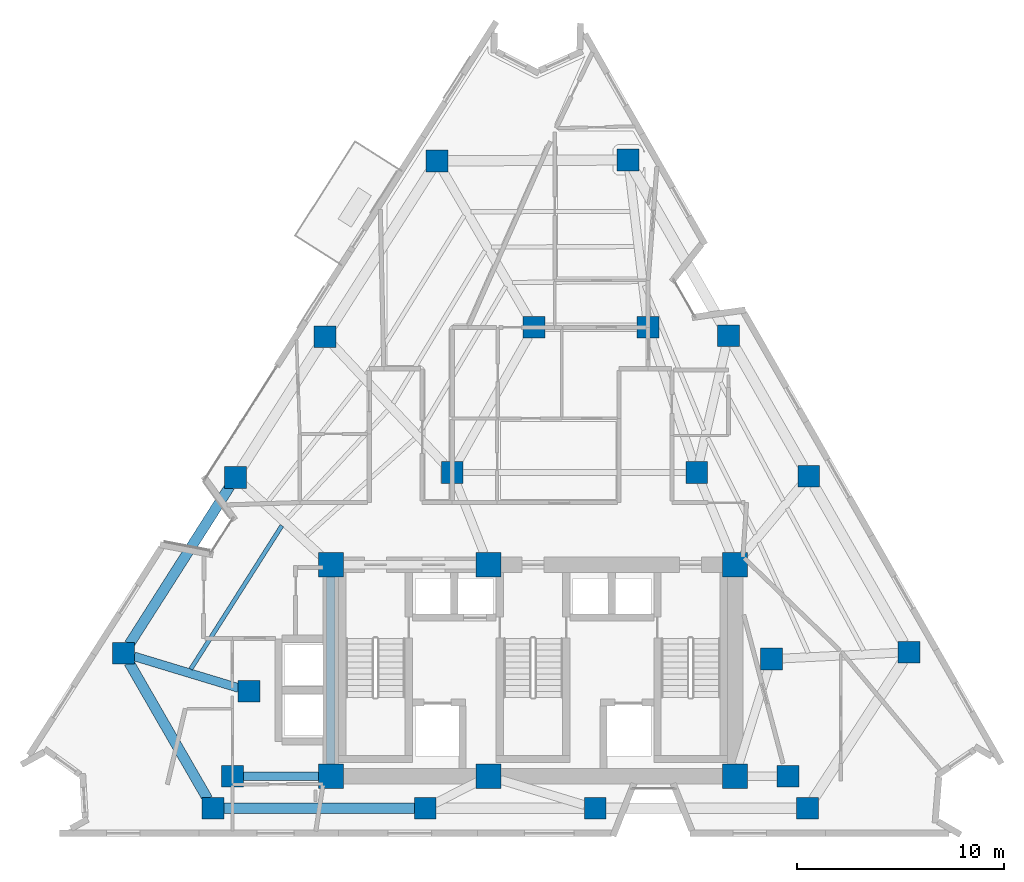
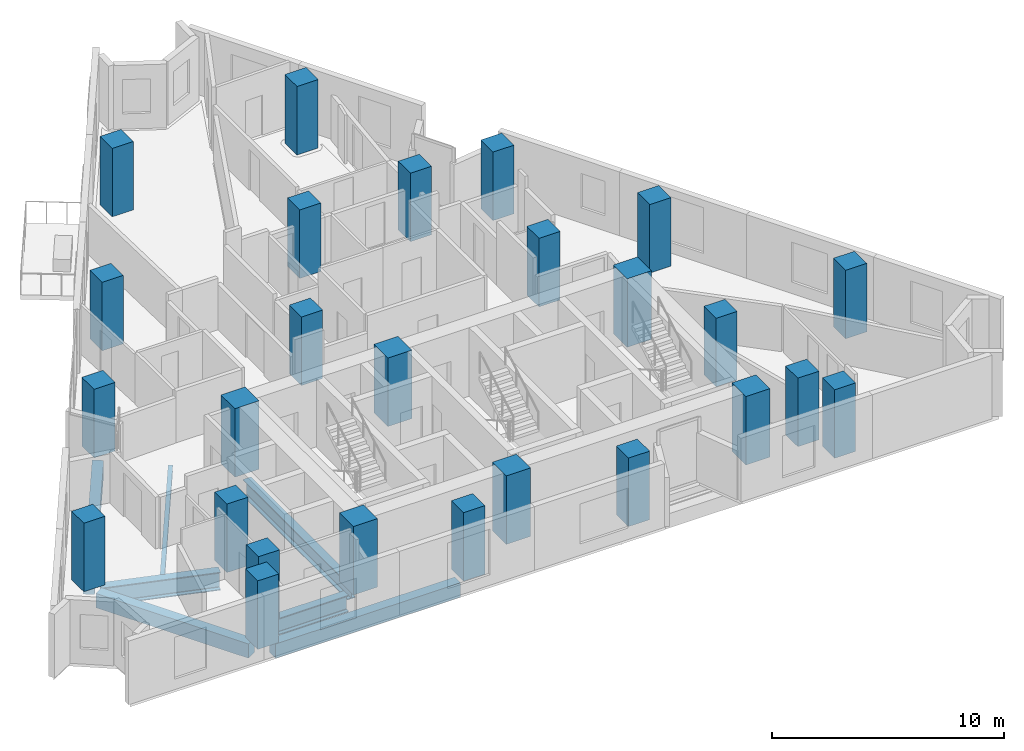
# One storey, part 1 of 11: 26 columns, 7 beams.
"""IFC4 building model written with IfcOpenShell, lengths in metres."""

from ifc_helpers import new_model, si_unit, direction, frame, origin, origin_2d, place, context, subcontext, project, spatial, rectangle, i_section, extrude, material, material_profile, profile_set, type_object, element, save


model = new_model("IFC4")

# Units and contexts
model_context = context("Model", 3, precision=1e-05, world=origin(), true_north=direction((0.0, 1.0)))
body_context = subcontext(model_context, "Body", "Model", "MODEL_VIEW")
ifc_project = project(units=[si_unit("LENGTHUNIT", "METRE"), si_unit("AREAUNIT", "SQUARE_METRE"), si_unit("VOLUMEUNIT", "CUBIC_METRE"), si_unit("PLANEANGLEUNIT", "RADIAN"), si_unit("MASSUNIT", "GRAM", prefix="KILO")], contexts=[model_context])

# Site, building, storey
site_placement = place(None, origin())
site = spatial("IfcSite", under=ifc_project, at=site_placement, CompositionType="ELEMENT")
building_placement = place(site_placement, origin())
building = spatial("IfcBuilding", under=site, at=building_placement, Name="Almagre Mirador Tower", CompositionType="ELEMENT")
storey_placement = place(building_placement, frame((0.0, 0.0, 135.60009765625)))
storey = spatial("IfcBuildingStorey", under=building, at=storey_placement, Name="L34", CompositionType="ELEMENT", Elevation=135.60009765625)

# Columns
ifc_material_1 = material(Name="Concrete C60/75", Category="concrete")
ifc_material_profile_1 = material_profile(ifc_material_1, rectangle(XDim=1.050048828125, YDim=1.050048828125, at=origin_2d()), Name="RC1050X1050")
ifc_profile_set_1 = profile_set([ifc_material_profile_1], Name="Concrete C60/75")
column_type_1 = type_object("IfcColumnType", Name="COL-RC1050", PredefinedType="COLUMN", material=ifc_profile_set_1)
for number, where, z_axis, x_axis, name in (
    (1, (22.800048828125, 4.550048828125, 0.0), (0.0, 0.0, 1.0), (1.0, 0.0, 0.0), "L34 interior transfer column MC1"),
    (2, (49.60009765625, 4.550048828125, 0.0), (0.0, 0.0, 1.0), (1.0, 0.0, 0.0), "L34 interior transfer column MC2"),
    (3, (48.800048828125, 10.199951171875, 0.0), (0.0, 0.0, 1.0), (1.0, 0.0, 0.0), "L34 interior transfer column MC3"),
    (4, (45.199951171875, 19.199951171875, 0.0), (0.0, 0.0, 1.0), (1.0, 0.0, 0.0), "L34 interior transfer column MC5"),
    (5, (42.85009765625, 26.199951171875, 0.0), (0.0, 0.0, 1.0), (1.0, 0.0, 0.0), "L34 interior transfer column MC6"),
    (6, (37.35009765625, 26.199951171875, 0.0), (0.0, 0.0, 1.0), (1.0, 0.0, 0.0), "L34 interior transfer column MC7"),
    (7, (33.39990234375, 19.199951171875, 0.0), (0.0, 0.0, 1.0), (1.0, 0.0, 0.0), "L34 interior transfer column MC8"),
    (8, (23.60009765625, 8.64990234375, 0.0), (0.0, 0.0, 1.0), (1.0, 0.0, 0.0), "L34 interior transfer column MC10"),
    (9, (21.864013671875, 3.0, 0.0), (0.0, 0.0, 1.0), (1.0, 0.0, 0.0), "L34 perimeter column PC01"),
    (10, (32.10400390625, 3.0, 0.0), (0.0, 0.0, 1.0), (1.0, 0.0, 0.0), "L34 perimeter column PC02"),
    (11, (40.2958984375, 3.0, 0.0), (0.0, 0.0, 1.0), (1.0, 0.0, 0.0), "L34 perimeter column PC03"),
    (12, (50.535888671875, 3.0, 0.0), (0.0, 0.0, 1.0), (1.0, 0.0, 0.0), "L34 perimeter column PC04"),
    (13, (55.43408203125, 10.532958984375, 0.0), (0.0, 0.0, 1.0), (1.0, 0.0, 0.0), "L34 perimeter column PC05"),
    (14, (50.593994140625, 19.012939453125, 0.0), (0.0, 0.0, 1.0), (1.0, 0.0, 0.0), "L34 perimeter column PC06"),
    (15, (46.721923828125, 25.797119140625, 0.0), (0.0, 0.0, 1.0), (1.0, 0.0, 0.0), "L34 perimeter column PC07"),
    (16, (41.882080078125, 34.277099609375, 0.0), (0.0, 0.0, 1.0), (1.0, 0.0, 0.0), "L34 perimeter column PC08"),
    (17, (32.672119140625, 34.22705078125, 0.0), (0.0, 0.0, 1.0), (1.0, 0.0, 0.0), "L34 perimeter column PC09"),
    (18, (27.27197265625, 25.7470703125, 0.0), (0.0, 0.0, 1.0), (1.0, 0.0, 0.0), "L34 perimeter column PC10"),
    (19, (22.951904296875, 18.962890625, 0.0), (0.0, 0.0, 1.0), (1.0, 0.0, 0.0), "L34 perimeter column PC11"),
    (20, (17.552001953125, 10.48291015625, 0.0), (0.0, 0.0, 1.0), (1.0, 0.0, 0.0), "L34 perimeter column PC12"),
):
    element("IfcColumn", number, at=place(storey_placement, frame(where, z_axis=z_axis, x_axis=x_axis)), inside=storey, type_object=column_type_1, Name=name, PredefinedType="COLUMN", context=body_context, shape_type="SweptSolid", body=[
        extrude(rectangle(XDim=1.050048828125, YDim=1.050048828125, at=origin_2d()), origin(), (0.0, 0.0, 1.0), 3.599853515625),
    ])
ifc_material_2 = material(Name="Concrete C60/75", Category="concrete")
ifc_material_profile_2 = material_profile(ifc_material_2, rectangle(XDim=1.199951171875, YDim=1.199951171875, at=origin_2d()), Name="RC1200X1200")
ifc_profile_set_2 = profile_set([ifc_material_profile_2], Name="Concrete C60/75")
column_type_2 = type_object("IfcColumnType", Name="COL-RC1200", PredefinedType="COLUMN", material=ifc_profile_set_2)
for number, where, z_axis, x_axis, name in (
    (21, (27.550048828125, 4.550048828125, 0.0), (0.0, 0.0, 1.0), (1.0, 0.0, 0.0), "L34 core spine column CC1"),
    (22, (35.14990234375, 4.550048828125, 0.0), (0.0, 0.0, 1.0), (1.0, 0.0, 0.0), "L34 core spine column CC2"),
    (23, (47.050048828125, 4.550048828125, 0.0), (0.0, 0.0, 1.0), (1.0, 0.0, 0.0), "L34 core spine column CC3"),
    (24, (27.550048828125, 14.75, 0.0), (0.0, 0.0, 1.0), (1.0, 0.0, 0.0), "L34 core spine column CC4"),
    (25, (35.14990234375, 14.75, 0.0), (0.0, 0.0, 1.0), (1.0, 0.0, 0.0), "L34 core spine column CC5"),
    (26, (47.050048828125, 14.75, 0.0), (0.0, 0.0, 1.0), (1.0, 0.0, 0.0), "L34 core spine column CC6"),
):
    element("IfcColumn", number, at=place(storey_placement, frame(where, z_axis=z_axis, x_axis=x_axis)), inside=storey, type_object=column_type_2, Name=name, PredefinedType="COLUMN", context=body_context, shape_type="SweptSolid", body=[
        extrude(rectangle(XDim=1.199951171875, YDim=1.199951171875, at=origin_2d()), origin(), (0.0, 0.0, 1.0), 3.599853515625),
    ])

# Beams
ifc_material_3 = material(Name="Steel ASTM A992 Grade 50", Category="steel")
ifc_material_profile_3 = material_profile(ifc_material_3, i_section(OverallWidth=0.205078125, OverallDepth=0.31005859375, WebThickness=0.009521484375, FlangeThickness=0.016357421875, FilletRadius=0.013916015625, at=origin_2d()), Name="W12X50")
ifc_profile_set_3 = profile_set([ifc_material_profile_3], Name="Steel ASTM A992 Grade 50")
beam_type_1 = type_object("IfcBeamType", Name="BM-JST-W12X50", PredefinedType="JOIST", material=ifc_profile_set_3)
beam_1_placement = place(storey_placement, frame((25.185302734375, 16.63427734375, -0.405029296875), z_axis=(-0.536144918512, -0.844125954082, 0.0), x_axis=(0.844125954082, -0.536144918512, 0.0)))
element("IfcBeam", 27, at=beam_1_placement, inside=storey, type_object=beam_type_1, Name="L34 secondary floor joist PC11-PC12.2", PredefinedType="JOIST", context=body_context, shape_type="SweptSolid", body=[
    extrude(i_section(OverallWidth=0.205078125, OverallDepth=0.31005859375, WebThickness=0.009521484375, FlangeThickness=0.016357421875, FilletRadius=0.013916015625, at=origin_2d()), origin(), (0.0, 0.0, 1.0), 8.197509765625),
])
ifc_material_4 = material(Name="Precast concrete C50/60", Category="concrete")
ifc_material_profile_4 = material_profile(ifc_material_4, rectangle(XDim=0.5, YDim=0.75, at=origin_2d()), Name="RC500X750")
ifc_profile_set_4 = profile_set([ifc_material_profile_4], Name="Precast concrete C50/60")
beam_type_2 = type_object("IfcBeamType", Name="BM-SPN-RC500X750", PredefinedType="SPANDREL", material=ifc_profile_set_4)
beam_2_placement = place(storey_placement, frame((22.388916015625, 3.0, -0.625), z_axis=(1.0, 0.0, 0.0), x_axis=(0.0, 1.0, 0.0)))
element("IfcBeam", 28, at=beam_2_placement, inside=storey, type_object=beam_type_2, Name="L34 perimeter spandrel beam PC01-PC02", PredefinedType="SPANDREL", context=body_context, shape_type="SweptSolid", body=[
    extrude(rectangle(XDim=0.5, YDim=0.75, at=origin_2d()), origin(), (0.0, 0.0, 1.0), 9.190185546875),
])
beam_3_placement = place(storey_placement, frame((22.669921875, 18.520263671875, -0.625), z_axis=(-0.53711935681, -0.84350625163, 0.0), x_axis=(0.84350625163, -0.53711935681, 0.0)))
element("IfcBeam", 29, at=beam_3_placement, inside=storey, type_object=beam_type_2, Name="L34 perimeter spandrel beam PC11-PC12", PredefinedType="SPANDREL", context=body_context, shape_type="SweptSolid", body=[
    extrude(rectangle(XDim=0.5, YDim=0.75, at=origin_2d()), origin(), (0.0, 0.0, 1.0), 9.00341796875),
])
beam_4_placement = place(storey_placement, frame((17.814208984375, 10.028076171875, -0.625), z_axis=(0.499261771352, -0.866451200972, 0.0), x_axis=(0.866451200972, 0.499261771352, 0.0)))
element("IfcBeam", 30, at=beam_4_placement, inside=storey, type_object=beam_type_2, Name="L34 perimeter spandrel beam PC12-PC01", PredefinedType="SPANDREL", context=body_context, shape_type="SweptSolid", body=[
    extrude(rectangle(XDim=0.5, YDim=0.75, at=origin_2d()), origin(), (0.0, 0.0, 1.0), 7.58642578125),
])
ifc_material_5 = material(Name="Steel ASTM A992 Grade 50", Category="steel")
ifc_material_profile_5 = material_profile(ifc_material_5, i_section(OverallWidth=0.404052734375, OverallDepth=0.884033203125, WebThickness=0.0244140625, FlangeThickness=0.0439453125, FilletRadius=0.02490234375, at=origin_2d()), Name="W33X291")
ifc_profile_set_5 = profile_set([ifc_material_profile_5], Name="Steel ASTM A992 Grade 50")
beam_type_3 = type_object("IfcBeamType", Name="BM-STL-W33X291", PredefinedType="BEAM", material=ifc_profile_set_5)
beam_5_placement = place(storey_placement, frame((27.550048828125, 5.14990234375, -0.692138671875), z_axis=(0.0, 1.0, 0.0), x_axis=(-1.0, 0.0, 0.0)))
element("IfcBeam", 31, at=beam_5_placement, inside=storey, type_object=beam_type_3, Name="L34 core tie girder CC1-CC4", PredefinedType="BEAM", context=body_context, shape_type="SweptSolid", body=[
    extrude(i_section(OverallWidth=0.404052734375, OverallDepth=0.884033203125, WebThickness=0.0244140625, FlangeThickness=0.0439453125, FilletRadius=0.02490234375, at=origin_2d()), origin(), (0.0, 0.0, 1.0), 9.0),
])
beam_6_placement = place(storey_placement, frame((23.324951171875, 4.550048828125, -0.692138671875), z_axis=(1.0, 0.0, 0.0), x_axis=(0.0, 1.0, 0.0)))
element("IfcBeam", 32, at=beam_6_placement, inside=storey, type_object=beam_type_3, Name="L34 core tie girder MC1-CC1", PredefinedType="BEAM", context=body_context, shape_type="SweptSolid", body=[
    extrude(i_section(OverallWidth=0.404052734375, OverallDepth=0.884033203125, WebThickness=0.0244140625, FlangeThickness=0.0439453125, FilletRadius=0.02490234375, at=origin_2d()), origin(), (0.0, 0.0, 1.0), 3.625),
])
ifc_material_6 = material(Name="Steel ASTM A992 Grade 50", Category="steel")
ifc_material_profile_6 = material_profile(ifc_material_6, i_section(OverallWidth=0.423095703125, OverallDepth=0.947998046875, WebThickness=0.02392578125, FlangeThickness=0.042724609375, FilletRadius=0.028076171875, at=origin_2d()), Name="W36X302")
ifc_profile_set_6 = profile_set([ifc_material_profile_6], Name="Steel ASTM A992 Grade 50")
beam_type_4 = type_object("IfcBeamType", Name="BM-STL-W36X302", PredefinedType="BEAM", material=ifc_profile_set_6)
beam_7_placement = place(storey_placement, frame((18.054443359375, 10.330810546875, -0.72412109375), z_axis=(0.957007648209, -0.290062685068, 0.0), x_axis=(0.290062685068, 0.957007648209, 0.0)))
element("IfcBeam", 33, at=beam_7_placement, inside=storey, type_object=beam_type_4, Name="L34 radial floor girder PC12-MC10", PredefinedType="BEAM", context=body_context, shape_type="SweptSolid", body=[
    extrude(i_section(OverallWidth=0.423095703125, OverallDepth=0.947998046875, WebThickness=0.02392578125, FlangeThickness=0.042724609375, FilletRadius=0.028076171875, at=origin_2d()), origin(), (0.0, 0.0, 1.0), 5.269775390625),
])

save(model, "model.ifc")
